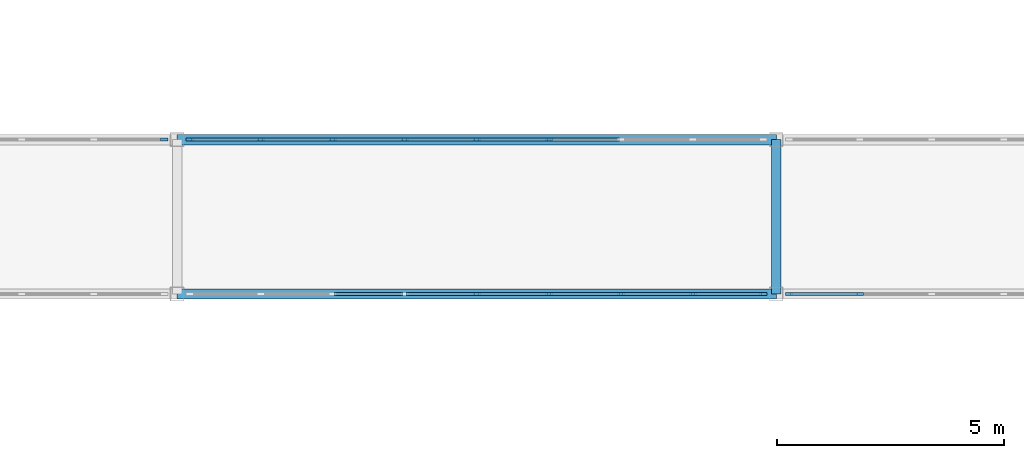
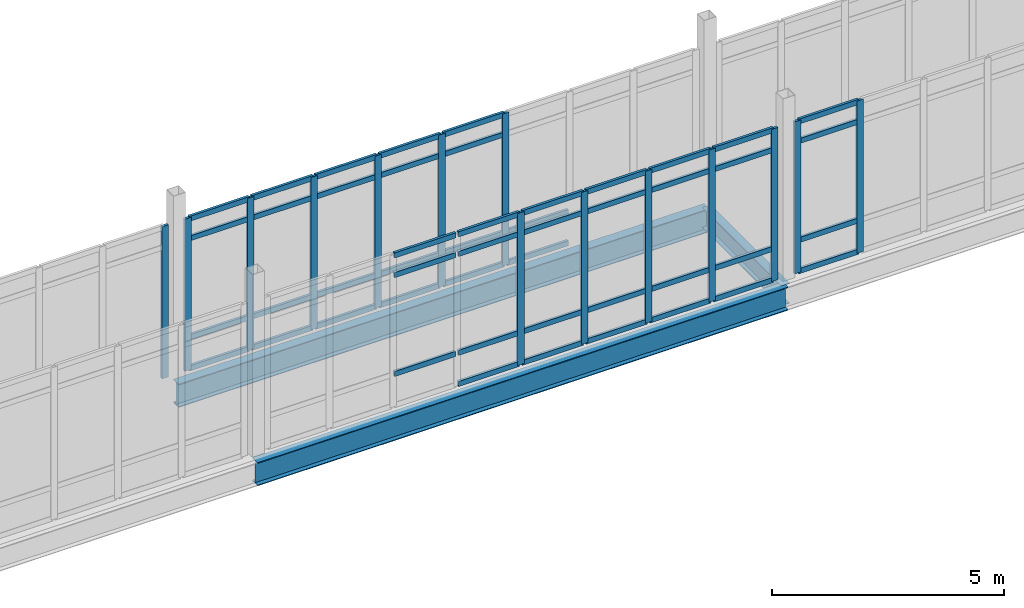
# One storey, part 40 of 125: 63 members, 3 beams, 4 elements without a shape of their own.
"""IFC4 building model written with IfcOpenShell, lengths in metres."""

from ifc_helpers import new_model, si_unit, direction, frame, origin, origin_2d, place, context, subcontext, project, spatial, rectangle, i_section, extrude, material, material_profile, profile_set, type_object, element, aggregate, save


model = new_model("IFC4")

# Units and contexts
model_context = context("Model", 3, precision=1e-05, world=origin(), true_north=direction((0.0, 1.0)))
body_context = subcontext(model_context, "Body", "Model", "MODEL_VIEW")
ifc_project = project(units=[si_unit("LENGTHUNIT", "METRE"), si_unit("AREAUNIT", "SQUARE_METRE"), si_unit("VOLUMEUNIT", "CUBIC_METRE"), si_unit("PLANEANGLEUNIT", "RADIAN"), si_unit("MASSUNIT", "GRAM", prefix="KILO")], contexts=[model_context])

# Site, building, storey
site_placement = place(None, origin())
site = spatial("IfcSite", under=ifc_project, at=site_placement, CompositionType="ELEMENT")
building_placement = place(site_placement, origin())
building = spatial("IfcBuilding", under=site, at=building_placement, Name="Dornvale Research Institute", CompositionType="ELEMENT")
storey_placement = place(building_placement, frame((0.0, 0.0, 5.39990234375)))
storey = spatial("IfcBuildingStorey", under=building, at=storey_placement, Name="L01", CompositionType="ELEMENT", Elevation=5.39990234375)

# Beams
ifc_material_1 = material(Name="Steel ASTM A992 Grade 50", Category="steel")
ifc_material_profile_1 = material_profile(ifc_material_1, i_section(OverallWidth=0.2099609375, OverallDepth=0.535888671875, WebThickness=0.010986328125, FlangeThickness=0.017333984375, at=origin_2d()), Name="W21X68")
ifc_profile_set_1 = profile_set([ifc_material_profile_1], Name="Steel ASTM A992 Grade 50")
beam_type_1 = type_object("IfcBeamType", Name="Beam_Steel_W21X68_Ext", PredefinedType="BEAM", material=ifc_profile_set_1)
beam_placement = place(storey_placement, frame((85.800048828125, 113.10009765625, -0.48779296875), z_axis=(0.0, 1.0, 0.0), x_axis=(-1.0, 0.0, 0.0)))
element("IfcBeam", 1, at=beam_placement, inside=storey, type_object=beam_type_1, Name="L01 BR-5 portal cap beam #2026", PredefinedType="BEAM", context=body_context, shape_type="SweptSolid", body=[
    extrude(i_section(OverallWidth=0.2099609375, OverallDepth=0.535888671875, WebThickness=0.010986328125, FlangeThickness=0.017333984375, at=origin_2d()), origin(), (0.0, 0.0, 1.0), 3.39990234375),
])
ifc_material_2 = material(Name="Steel ASTM A992 Grade 50", Category="steel")
ifc_material_profile_2 = material_profile(ifc_material_2, i_section(OverallWidth=0.22900390625, OverallDepth=0.612060546875, WebThickness=0.011962890625, FlangeThickness=0.01953125, at=origin_2d()), Name="W24X84")
ifc_profile_set_2 = profile_set([ifc_material_profile_2], Name="Steel ASTM A992 Grade 50")
beam_type_2 = type_object("IfcBeamType", Name="Beam_Steel_W24X84_Bridge", PredefinedType="BEAM", material=ifc_profile_set_2)
for number, where, z_axis, x_axis, name in (
    (2, (72.60009765625, 113.10009765625, -0.52587890625), (1.0, 0.0, 0.0), (0.0, 1.0, 0.0), "L01 BR-5 south girder #2026"),
    (3, (72.60009765625, 116.5, -0.52587890625), (1.0, 0.0, 0.0), (0.0, 1.0, 0.0), "L01 BR-5 north girder #2026"),
):
    element("IfcBeam", number, at=place(storey_placement, frame(where, z_axis=z_axis, x_axis=x_axis)), inside=storey, type_object=beam_type_2, Name=name, PredefinedType="BEAM", context=body_context, shape_type="SweptSolid", body=[
        extrude(i_section(OverallWidth=0.22900390625, OverallDepth=0.612060546875, WebThickness=0.011962890625, FlangeThickness=0.01953125, at=origin_2d()), origin(), (0.0, 0.0, 1.0), 13.199951171875),
    ])

# Curtain wall, member
ifc_material_3 = material(Name="Low-E Argon Double Insulating Glazing Unit", Category="glass")
curtain_wall_type = type_object("IfcCurtainWallType", Name="UnitisedCurtainWall_V2_12700x4000", PredefinedType="USERDEFINED", material=ifc_material_3)
curtain_wall_1_placement = place(storey_placement, origin())
curtain_wall_1 = element("IfcCurtainWall", 4, at=curtain_wall_1_placement, inside=storey, type_object=curtain_wall_type, Name="L01 V2 unitised curtain wall CW-42 #213", ObjectType="UNITISED CURTAIN WALL", PredefinedType="USERDEFINED")
ifc_material_4 = material(Name="Anodized Aluminum AA 6063-T6 Thermally Broken Frame", Category="aluminium")
ifc_material_profile_3 = material_profile(ifc_material_4, rectangle(XDim=0.06494140625, YDim=0.1650390625, at=origin_2d()), Name="ALU MULLION 65x165")
ifc_profile_set_3 = profile_set([ifc_material_profile_3], Name="Anodized Aluminum AA 6063-T6 Thermally Broken Frame")
member_type_1 = type_object("IfcMemberType", Name="Mullion_Atrium_65x165", PredefinedType="MULLION", material=ifc_profile_set_3)
member_1_placement = place(storey_placement, frame((72.3173828125, 116.5, 0.0), z_axis=(0.0, 0.0, 1.0), x_axis=(0.0, 1.0, 0.0)))
member_1 = element("IfcMember", 5, at=member_1_placement, type_object=member_type_1, Name="CW-42 mullion 9", PredefinedType="MULLION", context=body_context, shape_type="SweptSolid", body=[
    extrude(rectangle(XDim=0.06494140625, YDim=0.1650390625, at=origin_2d()), origin(), (0.0, 0.0, 1.0), 4.0),
])
aggregate(curtain_wall_1, [member_1])

# Curtain wall, members
curtain_wall_2_placement = place(storey_placement, origin())
curtain_wall_2 = element("IfcCurtainWall", 6, at=curtain_wall_2_placement, inside=storey, type_object=curtain_wall_type, Name="L01 V2 unitised curtain wall CW-42 #215", ObjectType="UNITISED CURTAIN WALL", PredefinedType="USERDEFINED")
member_2_placement = place(storey_placement, frame((72.882568359375, 116.5, 0.0), z_axis=(0.0, 0.0, 1.0), x_axis=(0.0, 1.0, 0.0)))
member_2 = element("IfcMember", 7, at=member_2_placement, type_object=member_type_1, Name="CW-42 mullion 1", PredefinedType="MULLION", context=body_context, shape_type="SweptSolid", body=[
    extrude(rectangle(XDim=0.06494140625, YDim=0.1650390625, at=origin_2d()), origin(), (0.0, 0.0, 1.0), 4.0),
])
member_3_placement = place(storey_placement, frame((74.4375, 116.5, 0.0), z_axis=(0.0, 0.0, 1.0), x_axis=(0.0, 1.0, 0.0)))
member_3 = element("IfcMember", 8, at=member_3_placement, type_object=member_type_1, Name="CW-42 mullion 2", PredefinedType="MULLION", context=body_context, shape_type="SweptSolid", body=[
    extrude(rectangle(XDim=0.06494140625, YDim=0.1650390625, at=origin_2d()), origin(), (0.0, 0.0, 1.0), 4.0),
])
member_4_placement = place(storey_placement, frame((76.02490234375, 116.5, 0.0), z_axis=(0.0, 0.0, 1.0), x_axis=(0.0, 1.0, 0.0)))
member_4 = element("IfcMember", 9, at=member_4_placement, type_object=member_type_1, Name="CW-42 mullion 3", PredefinedType="MULLION", context=body_context, shape_type="SweptSolid", body=[
    extrude(rectangle(XDim=0.06494140625, YDim=0.1650390625, at=origin_2d()), origin(), (0.0, 0.0, 1.0), 4.0),
])
member_5_placement = place(storey_placement, frame((77.612548828125, 116.5, 0.0), z_axis=(0.0, 0.0, 1.0), x_axis=(0.0, 1.0, 0.0)))
member_5 = element("IfcMember", 10, at=member_5_placement, type_object=member_type_1, Name="CW-42 mullion 4", PredefinedType="MULLION", context=body_context, shape_type="SweptSolid", body=[
    extrude(rectangle(XDim=0.06494140625, YDim=0.1650390625, at=origin_2d()), origin(), (0.0, 0.0, 1.0), 4.0),
])
member_6_placement = place(storey_placement, frame((79.199951171875, 116.5, 0.0), z_axis=(0.0, 0.0, 1.0), x_axis=(0.0, 1.0, 0.0)))
member_6 = element("IfcMember", 11, at=member_6_placement, type_object=member_type_1, Name="CW-42 mullion 5", PredefinedType="MULLION", context=body_context, shape_type="SweptSolid", body=[
    extrude(rectangle(XDim=0.06494140625, YDim=0.1650390625, at=origin_2d()), origin(), (0.0, 0.0, 1.0), 4.0),
])
member_7_placement = place(storey_placement, frame((80.78759765625, 116.5, 0.0), z_axis=(0.0, 0.0, 1.0), x_axis=(0.0, 1.0, 0.0)))
member_7 = element("IfcMember", 12, at=member_7_placement, type_object=member_type_1, Name="CW-42 mullion 6", PredefinedType="MULLION", context=body_context, shape_type="SweptSolid", body=[
    extrude(rectangle(XDim=0.06494140625, YDim=0.1650390625, at=origin_2d()), origin(), (0.0, 0.0, 1.0), 4.0),
])

curtain_wall_3_placement = place(storey_placement, origin())
curtain_wall_3 = element("IfcCurtainWall", 13, at=curtain_wall_3_placement, inside=storey, type_object=curtain_wall_type, Name="L01 V2 unitised curtain wall CW-42 #216", ObjectType="UNITISED CURTAIN WALL", PredefinedType="USERDEFINED")
member_8_placement = place(storey_placement, frame((85.517578125, 113.10009765625, 0.0), z_axis=(0.0, 0.0, 1.0), x_axis=(0.0, -1.0, 0.0)))
member_8 = element("IfcMember", 14, at=member_8_placement, type_object=member_type_1, Name="CW-42 mullion 1", PredefinedType="MULLION", context=body_context, shape_type="SweptSolid", body=[
    extrude(rectangle(XDim=0.06494140625, YDim=0.1650390625, at=origin_2d()), origin(), (0.0, 0.0, 1.0), 4.0),
])
member_9_placement = place(storey_placement, frame((83.96240234375, 113.10009765625, 0.0), z_axis=(0.0, 0.0, 1.0), x_axis=(0.0, -1.0, 0.0)))
member_9 = element("IfcMember", 15, at=member_9_placement, type_object=member_type_1, Name="CW-42 mullion 2", PredefinedType="MULLION", context=body_context, shape_type="SweptSolid", body=[
    extrude(rectangle(XDim=0.06494140625, YDim=0.1650390625, at=origin_2d()), origin(), (0.0, 0.0, 1.0), 4.0),
])
member_10_placement = place(storey_placement, frame((82.375, 113.10009765625, 0.0), z_axis=(0.0, 0.0, 1.0), x_axis=(0.0, -1.0, 0.0)))
member_10 = element("IfcMember", 16, at=member_10_placement, type_object=member_type_1, Name="CW-42 mullion 3", PredefinedType="MULLION", context=body_context, shape_type="SweptSolid", body=[
    extrude(rectangle(XDim=0.06494140625, YDim=0.1650390625, at=origin_2d()), origin(), (0.0, 0.0, 1.0), 4.0),
])
member_11_placement = place(storey_placement, frame((80.78759765625, 113.10009765625, 0.0), z_axis=(0.0, 0.0, 1.0), x_axis=(0.0, -1.0, 0.0)))
member_11 = element("IfcMember", 17, at=member_11_placement, type_object=member_type_1, Name="CW-42 mullion 4", PredefinedType="MULLION", context=body_context, shape_type="SweptSolid", body=[
    extrude(rectangle(XDim=0.06494140625, YDim=0.1650390625, at=origin_2d()), origin(), (0.0, 0.0, 1.0), 4.0),
])
member_12_placement = place(storey_placement, frame((79.199951171875, 113.10009765625, 0.0), z_axis=(0.0, 0.0, 1.0), x_axis=(0.0, -1.0, 0.0)))
member_12 = element("IfcMember", 18, at=member_12_placement, type_object=member_type_1, Name="CW-42 mullion 5", PredefinedType="MULLION", context=body_context, shape_type="SweptSolid", body=[
    extrude(rectangle(XDim=0.06494140625, YDim=0.1650390625, at=origin_2d()), origin(), (0.0, 0.0, 1.0), 4.0),
])

curtain_wall_4_placement = place(storey_placement, origin())
curtain_wall_4 = element("IfcCurtainWall", 19, at=curtain_wall_4_placement, inside=storey, type_object=curtain_wall_type, Name="L01 V2 unitised curtain wall CW-42 #218", ObjectType="UNITISED CURTAIN WALL", PredefinedType="USERDEFINED")
member_13_placement = place(storey_placement, frame((87.637451171875, 113.10009765625, 0.0), z_axis=(0.0, 0.0, 1.0), x_axis=(0.0, -1.0, 0.0)))
member_13 = element("IfcMember", 20, at=member_13_placement, type_object=member_type_1, Name="CW-42 mullion 8", PredefinedType="MULLION", context=body_context, shape_type="SweptSolid", body=[
    extrude(rectangle(XDim=0.06494140625, YDim=0.1650390625, at=origin_2d()), origin(), (0.0, 0.0, 1.0), 4.0),
])
member_14_placement = place(storey_placement, frame((86.08251953125, 113.10009765625, 0.0), z_axis=(0.0, 0.0, 1.0), x_axis=(0.0, -1.0, 0.0)))
member_14 = element("IfcMember", 21, at=member_14_placement, type_object=member_type_1, Name="CW-42 mullion 9", PredefinedType="MULLION", context=body_context, shape_type="SweptSolid", body=[
    extrude(rectangle(XDim=0.06494140625, YDim=0.1650390625, at=origin_2d()), origin(), (0.0, 0.0, 1.0), 4.0),
])

# Member
ifc_material_5 = material(Name="Anodized Aluminum AA 6063-T6 Thermally Broken Frame", Category="aluminium")
ifc_material_profile_4 = material_profile(ifc_material_5, rectangle(XDim=0.06494140625, YDim=0.135009765625, at=origin_2d()), Name="ALU TRANSOM 65x135")
ifc_profile_set_4 = profile_set([ifc_material_profile_4], Name="Anodized Aluminum AA 6063-T6 Thermally Broken Frame")
member_type_2 = type_object("IfcMemberType", Name="Transom_CW_65x135", PredefinedType="USERDEFINED", material=ifc_profile_set_4)
member_15_placement = place(storey_placement, frame((72.9150390625, 116.5, 0.03271484375), z_axis=(1.0, 0.0, 0.0), x_axis=(0.0, 1.0, 0.0)))
member_15 = element("IfcMember", 22, at=member_15_placement, type_object=member_type_2, Name="CW-42 transom 1.1", ObjectType="TRANSOM", PredefinedType="USERDEFINED", context=body_context, shape_type="SweptSolid", body=[
    extrude(rectangle(XDim=0.06494140625, YDim=0.135009765625, at=origin_2d()), origin(), (0.0, 0.0, 1.0), 1.489990234375),
])

member_16_placement = place(storey_placement, frame((72.9150390625, 116.5, 0.85009765625), z_axis=(1.0, 0.0, 0.0), x_axis=(0.0, 1.0, 0.0)))
member_16 = element("IfcMember", 23, at=member_16_placement, type_object=member_type_2, Name="CW-42 transom 1.2", ObjectType="TRANSOM", PredefinedType="USERDEFINED", context=body_context, shape_type="SweptSolid", body=[
    extrude(rectangle(XDim=0.06494140625, YDim=0.135009765625, at=origin_2d()), origin(), (0.0, 0.0, 1.0), 1.489990234375),
])

member_17_placement = place(storey_placement, frame((72.9150390625, 116.5, 3.4501953125), z_axis=(1.0, 0.0, 0.0), x_axis=(0.0, 1.0, 0.0)))
member_17 = element("IfcMember", 24, at=member_17_placement, type_object=member_type_2, Name="CW-42 transom 1.3", ObjectType="TRANSOM", PredefinedType="USERDEFINED", context=body_context, shape_type="SweptSolid", body=[
    extrude(rectangle(XDim=0.06494140625, YDim=0.135009765625, at=origin_2d()), origin(), (0.0, 0.0, 1.0), 1.489990234375),
])

member_18_placement = place(storey_placement, frame((72.9150390625, 116.5, 3.967529296875), z_axis=(1.0, 0.0, 0.0), x_axis=(0.0, 1.0, 0.0)))
member_18 = element("IfcMember", 25, at=member_18_placement, type_object=member_type_2, Name="CW-42 transom 1.4", ObjectType="TRANSOM", PredefinedType="USERDEFINED", context=body_context, shape_type="SweptSolid", body=[
    extrude(rectangle(XDim=0.06494140625, YDim=0.135009765625, at=origin_2d()), origin(), (0.0, 0.0, 1.0), 1.489990234375),
])

member_19_placement = place(storey_placement, frame((74.469970703125, 116.5, 0.03271484375), z_axis=(1.0, 0.0, 0.0), x_axis=(0.0, 1.0, 0.0)))
member_19 = element("IfcMember", 26, at=member_19_placement, type_object=member_type_2, Name="CW-42 transom 2.1", ObjectType="TRANSOM", PredefinedType="USERDEFINED", context=body_context, shape_type="SweptSolid", body=[
    extrude(rectangle(XDim=0.06494140625, YDim=0.135009765625, at=origin_2d()), origin(), (0.0, 0.0, 1.0), 1.5224609375),
])

member_20_placement = place(storey_placement, frame((74.469970703125, 116.5, 0.85009765625), z_axis=(1.0, 0.0, 0.0), x_axis=(0.0, 1.0, 0.0)))
member_20 = element("IfcMember", 27, at=member_20_placement, type_object=member_type_2, Name="CW-42 transom 2.2", ObjectType="TRANSOM", PredefinedType="USERDEFINED", context=body_context, shape_type="SweptSolid", body=[
    extrude(rectangle(XDim=0.06494140625, YDim=0.135009765625, at=origin_2d()), origin(), (0.0, 0.0, 1.0), 1.5224609375),
])

member_21_placement = place(storey_placement, frame((74.469970703125, 116.5, 3.4501953125), z_axis=(1.0, 0.0, 0.0), x_axis=(0.0, 1.0, 0.0)))
member_21 = element("IfcMember", 28, at=member_21_placement, type_object=member_type_2, Name="CW-42 transom 2.3", ObjectType="TRANSOM", PredefinedType="USERDEFINED", context=body_context, shape_type="SweptSolid", body=[
    extrude(rectangle(XDim=0.06494140625, YDim=0.135009765625, at=origin_2d()), origin(), (0.0, 0.0, 1.0), 1.5224609375),
])

member_22_placement = place(storey_placement, frame((74.469970703125, 116.5, 3.967529296875), z_axis=(1.0, 0.0, 0.0), x_axis=(0.0, 1.0, 0.0)))
member_22 = element("IfcMember", 29, at=member_22_placement, type_object=member_type_2, Name="CW-42 transom 2.4", ObjectType="TRANSOM", PredefinedType="USERDEFINED", context=body_context, shape_type="SweptSolid", body=[
    extrude(rectangle(XDim=0.06494140625, YDim=0.135009765625, at=origin_2d()), origin(), (0.0, 0.0, 1.0), 1.5224609375),
])

member_23_placement = place(storey_placement, frame((76.0576171875, 116.5, 0.03271484375), z_axis=(1.0, 0.0, 0.0), x_axis=(0.0, 1.0, 0.0)))
member_23 = element("IfcMember", 30, at=member_23_placement, type_object=member_type_2, Name="CW-42 transom 3.1", ObjectType="TRANSOM", PredefinedType="USERDEFINED", context=body_context, shape_type="SweptSolid", body=[
    extrude(rectangle(XDim=0.06494140625, YDim=0.135009765625, at=origin_2d()), origin(), (0.0, 0.0, 1.0), 1.5224609375),
])

member_24_placement = place(storey_placement, frame((76.0576171875, 116.5, 0.85009765625), z_axis=(1.0, 0.0, 0.0), x_axis=(0.0, 1.0, 0.0)))
member_24 = element("IfcMember", 31, at=member_24_placement, type_object=member_type_2, Name="CW-42 transom 3.2", ObjectType="TRANSOM", PredefinedType="USERDEFINED", context=body_context, shape_type="SweptSolid", body=[
    extrude(rectangle(XDim=0.06494140625, YDim=0.135009765625, at=origin_2d()), origin(), (0.0, 0.0, 1.0), 1.5224609375),
])

member_25_placement = place(storey_placement, frame((76.0576171875, 116.5, 3.4501953125), z_axis=(1.0, 0.0, 0.0), x_axis=(0.0, 1.0, 0.0)))
member_25 = element("IfcMember", 32, at=member_25_placement, type_object=member_type_2, Name="CW-42 transom 3.3", ObjectType="TRANSOM", PredefinedType="USERDEFINED", context=body_context, shape_type="SweptSolid", body=[
    extrude(rectangle(XDim=0.06494140625, YDim=0.135009765625, at=origin_2d()), origin(), (0.0, 0.0, 1.0), 1.5224609375),
])

member_26_placement = place(storey_placement, frame((76.0576171875, 116.5, 3.967529296875), z_axis=(1.0, 0.0, 0.0), x_axis=(0.0, 1.0, 0.0)))
member_26 = element("IfcMember", 33, at=member_26_placement, type_object=member_type_2, Name="CW-42 transom 3.4", ObjectType="TRANSOM", PredefinedType="USERDEFINED", context=body_context, shape_type="SweptSolid", body=[
    extrude(rectangle(XDim=0.06494140625, YDim=0.135009765625, at=origin_2d()), origin(), (0.0, 0.0, 1.0), 1.5224609375),
])

member_27_placement = place(storey_placement, frame((77.64501953125, 116.5, 0.03271484375), z_axis=(1.0, 0.0, 0.0), x_axis=(0.0, 1.0, 0.0)))
member_27 = element("IfcMember", 34, at=member_27_placement, type_object=member_type_2, Name="CW-42 transom 4.1", ObjectType="TRANSOM", PredefinedType="USERDEFINED", context=body_context, shape_type="SweptSolid", body=[
    extrude(rectangle(XDim=0.06494140625, YDim=0.135009765625, at=origin_2d()), origin(), (0.0, 0.0, 1.0), 1.5224609375),
])

member_28_placement = place(storey_placement, frame((77.64501953125, 116.5, 0.85009765625), z_axis=(1.0, 0.0, 0.0), x_axis=(0.0, 1.0, 0.0)))
member_28 = element("IfcMember", 35, at=member_28_placement, type_object=member_type_2, Name="CW-42 transom 4.2", ObjectType="TRANSOM", PredefinedType="USERDEFINED", context=body_context, shape_type="SweptSolid", body=[
    extrude(rectangle(XDim=0.06494140625, YDim=0.135009765625, at=origin_2d()), origin(), (0.0, 0.0, 1.0), 1.5224609375),
])

member_29_placement = place(storey_placement, frame((77.64501953125, 116.5, 3.4501953125), z_axis=(1.0, 0.0, 0.0), x_axis=(0.0, 1.0, 0.0)))
member_29 = element("IfcMember", 36, at=member_29_placement, type_object=member_type_2, Name="CW-42 transom 4.3", ObjectType="TRANSOM", PredefinedType="USERDEFINED", context=body_context, shape_type="SweptSolid", body=[
    extrude(rectangle(XDim=0.06494140625, YDim=0.135009765625, at=origin_2d()), origin(), (0.0, 0.0, 1.0), 1.5224609375),
])

member_30_placement = place(storey_placement, frame((77.64501953125, 116.5, 3.967529296875), z_axis=(1.0, 0.0, 0.0), x_axis=(0.0, 1.0, 0.0)))
member_30 = element("IfcMember", 37, at=member_30_placement, type_object=member_type_2, Name="CW-42 transom 4.4", ObjectType="TRANSOM", PredefinedType="USERDEFINED", context=body_context, shape_type="SweptSolid", body=[
    extrude(rectangle(XDim=0.06494140625, YDim=0.135009765625, at=origin_2d()), origin(), (0.0, 0.0, 1.0), 1.5224609375),
])

member_31_placement = place(storey_placement, frame((79.232421875, 116.5, 0.03271484375), z_axis=(1.0, 0.0, 0.0), x_axis=(0.0, 1.0, 0.0)))
member_31 = element("IfcMember", 38, at=member_31_placement, type_object=member_type_2, Name="CW-42 transom 5.1", ObjectType="TRANSOM", PredefinedType="USERDEFINED", context=body_context, shape_type="SweptSolid", body=[
    extrude(rectangle(XDim=0.06494140625, YDim=0.135009765625, at=origin_2d()), origin(), (0.0, 0.0, 1.0), 1.5224609375),
])

member_32_placement = place(storey_placement, frame((79.232421875, 116.5, 0.85009765625), z_axis=(1.0, 0.0, 0.0), x_axis=(0.0, 1.0, 0.0)))
member_32 = element("IfcMember", 39, at=member_32_placement, type_object=member_type_2, Name="CW-42 transom 5.2", ObjectType="TRANSOM", PredefinedType="USERDEFINED", context=body_context, shape_type="SweptSolid", body=[
    extrude(rectangle(XDim=0.06494140625, YDim=0.135009765625, at=origin_2d()), origin(), (0.0, 0.0, 1.0), 1.5224609375),
])

member_33_placement = place(storey_placement, frame((79.232421875, 116.5, 3.4501953125), z_axis=(1.0, 0.0, 0.0), x_axis=(0.0, 1.0, 0.0)))
member_33 = element("IfcMember", 40, at=member_33_placement, type_object=member_type_2, Name="CW-42 transom 5.3", ObjectType="TRANSOM", PredefinedType="USERDEFINED", context=body_context, shape_type="SweptSolid", body=[
    extrude(rectangle(XDim=0.06494140625, YDim=0.135009765625, at=origin_2d()), origin(), (0.0, 0.0, 1.0), 1.5224609375),
])

member_34_placement = place(storey_placement, frame((79.232421875, 116.5, 3.967529296875), z_axis=(1.0, 0.0, 0.0), x_axis=(0.0, 1.0, 0.0)))
member_34 = element("IfcMember", 41, at=member_34_placement, type_object=member_type_2, Name="CW-42 transom 5.4", ObjectType="TRANSOM", PredefinedType="USERDEFINED", context=body_context, shape_type="SweptSolid", body=[
    extrude(rectangle(XDim=0.06494140625, YDim=0.135009765625, at=origin_2d()), origin(), (0.0, 0.0, 1.0), 1.5224609375),
])

member_35_placement = place(storey_placement, frame((80.820068359375, 116.5, 0.03271484375), z_axis=(1.0, 0.0, 0.0), x_axis=(0.0, 1.0, 0.0)))
member_35 = element("IfcMember", 42, at=member_35_placement, type_object=member_type_2, Name="CW-42 transom 6.1", ObjectType="TRANSOM", PredefinedType="USERDEFINED", context=body_context, shape_type="SweptSolid", body=[
    extrude(rectangle(XDim=0.06494140625, YDim=0.135009765625, at=origin_2d()), origin(), (0.0, 0.0, 1.0), 1.5224609375),
])

member_36_placement = place(storey_placement, frame((80.820068359375, 116.5, 0.85009765625), z_axis=(1.0, 0.0, 0.0), x_axis=(0.0, 1.0, 0.0)))
member_36 = element("IfcMember", 43, at=member_36_placement, type_object=member_type_2, Name="CW-42 transom 6.2", ObjectType="TRANSOM", PredefinedType="USERDEFINED", context=body_context, shape_type="SweptSolid", body=[
    extrude(rectangle(XDim=0.06494140625, YDim=0.135009765625, at=origin_2d()), origin(), (0.0, 0.0, 1.0), 1.5224609375),
])

aggregate(curtain_wall_2, [member_2, member_3, member_4, member_5, member_6, member_7, member_15, member_16, member_17, member_18, member_19, member_20, member_21, member_22, member_23, member_24, member_25, member_26, member_27, member_28, member_29, member_30, member_31, member_32, member_33, member_34, member_35, member_36])

member_37_placement = place(storey_placement, frame((85.485107421875, 113.10009765625, 0.03271484375), z_axis=(-1.0, 0.0, 0.0), x_axis=(0.0, -1.0, 0.0)))
member_37 = element("IfcMember", 44, at=member_37_placement, type_object=member_type_2, Name="CW-42 transom 1.1", ObjectType="TRANSOM", PredefinedType="USERDEFINED", context=body_context, shape_type="SweptSolid", body=[
    extrude(rectangle(XDim=0.06494140625, YDim=0.135009765625, at=origin_2d()), origin(), (0.0, 0.0, 1.0), 1.489990234375),
])

member_38_placement = place(storey_placement, frame((85.485107421875, 113.10009765625, 0.85009765625), z_axis=(-1.0, 0.0, 0.0), x_axis=(0.0, -1.0, 0.0)))
member_38 = element("IfcMember", 45, at=member_38_placement, type_object=member_type_2, Name="CW-42 transom 1.2", ObjectType="TRANSOM", PredefinedType="USERDEFINED", context=body_context, shape_type="SweptSolid", body=[
    extrude(rectangle(XDim=0.06494140625, YDim=0.135009765625, at=origin_2d()), origin(), (0.0, 0.0, 1.0), 1.489990234375),
])

member_39_placement = place(storey_placement, frame((85.485107421875, 113.10009765625, 3.4501953125), z_axis=(-1.0, 0.0, 0.0), x_axis=(0.0, -1.0, 0.0)))
member_39 = element("IfcMember", 46, at=member_39_placement, type_object=member_type_2, Name="CW-42 transom 1.3", ObjectType="TRANSOM", PredefinedType="USERDEFINED", context=body_context, shape_type="SweptSolid", body=[
    extrude(rectangle(XDim=0.06494140625, YDim=0.135009765625, at=origin_2d()), origin(), (0.0, 0.0, 1.0), 1.489990234375),
])

member_40_placement = place(storey_placement, frame((85.485107421875, 113.10009765625, 3.967529296875), z_axis=(-1.0, 0.0, 0.0), x_axis=(0.0, -1.0, 0.0)))
member_40 = element("IfcMember", 47, at=member_40_placement, type_object=member_type_2, Name="CW-42 transom 1.4", ObjectType="TRANSOM", PredefinedType="USERDEFINED", context=body_context, shape_type="SweptSolid", body=[
    extrude(rectangle(XDim=0.06494140625, YDim=0.135009765625, at=origin_2d()), origin(), (0.0, 0.0, 1.0), 1.489990234375),
])

member_41_placement = place(storey_placement, frame((83.929931640625, 113.10009765625, 0.03271484375), z_axis=(-1.0, 0.0, 0.0), x_axis=(0.0, -1.0, 0.0)))
member_41 = element("IfcMember", 48, at=member_41_placement, type_object=member_type_2, Name="CW-42 transom 2.1", ObjectType="TRANSOM", PredefinedType="USERDEFINED", context=body_context, shape_type="SweptSolid", body=[
    extrude(rectangle(XDim=0.06494140625, YDim=0.135009765625, at=origin_2d()), origin(), (0.0, 0.0, 1.0), 1.5224609375),
])

member_42_placement = place(storey_placement, frame((83.929931640625, 113.10009765625, 0.85009765625), z_axis=(-1.0, 0.0, 0.0), x_axis=(0.0, -1.0, 0.0)))
member_42 = element("IfcMember", 49, at=member_42_placement, type_object=member_type_2, Name="CW-42 transom 2.2", ObjectType="TRANSOM", PredefinedType="USERDEFINED", context=body_context, shape_type="SweptSolid", body=[
    extrude(rectangle(XDim=0.06494140625, YDim=0.135009765625, at=origin_2d()), origin(), (0.0, 0.0, 1.0), 1.5224609375),
])

member_43_placement = place(storey_placement, frame((83.929931640625, 113.10009765625, 3.4501953125), z_axis=(-1.0, 0.0, 0.0), x_axis=(0.0, -1.0, 0.0)))
member_43 = element("IfcMember", 50, at=member_43_placement, type_object=member_type_2, Name="CW-42 transom 2.3", ObjectType="TRANSOM", PredefinedType="USERDEFINED", context=body_context, shape_type="SweptSolid", body=[
    extrude(rectangle(XDim=0.06494140625, YDim=0.135009765625, at=origin_2d()), origin(), (0.0, 0.0, 1.0), 1.5224609375),
])

member_44_placement = place(storey_placement, frame((83.929931640625, 113.10009765625, 3.967529296875), z_axis=(-1.0, 0.0, 0.0), x_axis=(0.0, -1.0, 0.0)))
member_44 = element("IfcMember", 51, at=member_44_placement, type_object=member_type_2, Name="CW-42 transom 2.4", ObjectType="TRANSOM", PredefinedType="USERDEFINED", context=body_context, shape_type="SweptSolid", body=[
    extrude(rectangle(XDim=0.06494140625, YDim=0.135009765625, at=origin_2d()), origin(), (0.0, 0.0, 1.0), 1.5224609375),
])

member_45_placement = place(storey_placement, frame((82.342529296875, 113.10009765625, 0.03271484375), z_axis=(-1.0, 0.0, 0.0), x_axis=(0.0, -1.0, 0.0)))
member_45 = element("IfcMember", 52, at=member_45_placement, type_object=member_type_2, Name="CW-42 transom 3.1", ObjectType="TRANSOM", PredefinedType="USERDEFINED", context=body_context, shape_type="SweptSolid", body=[
    extrude(rectangle(XDim=0.06494140625, YDim=0.135009765625, at=origin_2d()), origin(), (0.0, 0.0, 1.0), 1.5224609375),
])

member_46_placement = place(storey_placement, frame((82.342529296875, 113.10009765625, 0.85009765625), z_axis=(-1.0, 0.0, 0.0), x_axis=(0.0, -1.0, 0.0)))
member_46 = element("IfcMember", 53, at=member_46_placement, type_object=member_type_2, Name="CW-42 transom 3.2", ObjectType="TRANSOM", PredefinedType="USERDEFINED", context=body_context, shape_type="SweptSolid", body=[
    extrude(rectangle(XDim=0.06494140625, YDim=0.135009765625, at=origin_2d()), origin(), (0.0, 0.0, 1.0), 1.5224609375),
])

member_47_placement = place(storey_placement, frame((82.342529296875, 113.10009765625, 3.4501953125), z_axis=(-1.0, 0.0, 0.0), x_axis=(0.0, -1.0, 0.0)))
member_47 = element("IfcMember", 54, at=member_47_placement, type_object=member_type_2, Name="CW-42 transom 3.3", ObjectType="TRANSOM", PredefinedType="USERDEFINED", context=body_context, shape_type="SweptSolid", body=[
    extrude(rectangle(XDim=0.06494140625, YDim=0.135009765625, at=origin_2d()), origin(), (0.0, 0.0, 1.0), 1.5224609375),
])

member_48_placement = place(storey_placement, frame((82.342529296875, 113.10009765625, 3.967529296875), z_axis=(-1.0, 0.0, 0.0), x_axis=(0.0, -1.0, 0.0)))
member_48 = element("IfcMember", 55, at=member_48_placement, type_object=member_type_2, Name="CW-42 transom 3.4", ObjectType="TRANSOM", PredefinedType="USERDEFINED", context=body_context, shape_type="SweptSolid", body=[
    extrude(rectangle(XDim=0.06494140625, YDim=0.135009765625, at=origin_2d()), origin(), (0.0, 0.0, 1.0), 1.5224609375),
])

member_49_placement = place(storey_placement, frame((80.7548828125, 113.10009765625, 0.03271484375), z_axis=(-1.0, 0.0, 0.0), x_axis=(0.0, -1.0, 0.0)))
member_49 = element("IfcMember", 56, at=member_49_placement, type_object=member_type_2, Name="CW-42 transom 4.1", ObjectType="TRANSOM", PredefinedType="USERDEFINED", context=body_context, shape_type="SweptSolid", body=[
    extrude(rectangle(XDim=0.06494140625, YDim=0.135009765625, at=origin_2d()), origin(), (0.0, 0.0, 1.0), 1.5224609375),
])

member_50_placement = place(storey_placement, frame((80.7548828125, 113.10009765625, 0.85009765625), z_axis=(-1.0, 0.0, 0.0), x_axis=(0.0, -1.0, 0.0)))
member_50 = element("IfcMember", 57, at=member_50_placement, type_object=member_type_2, Name="CW-42 transom 4.2", ObjectType="TRANSOM", PredefinedType="USERDEFINED", context=body_context, shape_type="SweptSolid", body=[
    extrude(rectangle(XDim=0.06494140625, YDim=0.135009765625, at=origin_2d()), origin(), (0.0, 0.0, 1.0), 1.5224609375),
])

member_51_placement = place(storey_placement, frame((80.7548828125, 113.10009765625, 3.4501953125), z_axis=(-1.0, 0.0, 0.0), x_axis=(0.0, -1.0, 0.0)))
member_51 = element("IfcMember", 58, at=member_51_placement, type_object=member_type_2, Name="CW-42 transom 4.3", ObjectType="TRANSOM", PredefinedType="USERDEFINED", context=body_context, shape_type="SweptSolid", body=[
    extrude(rectangle(XDim=0.06494140625, YDim=0.135009765625, at=origin_2d()), origin(), (0.0, 0.0, 1.0), 1.5224609375),
])

member_52_placement = place(storey_placement, frame((80.7548828125, 113.10009765625, 3.967529296875), z_axis=(-1.0, 0.0, 0.0), x_axis=(0.0, -1.0, 0.0)))
member_52 = element("IfcMember", 59, at=member_52_placement, type_object=member_type_2, Name="CW-42 transom 4.4", ObjectType="TRANSOM", PredefinedType="USERDEFINED", context=body_context, shape_type="SweptSolid", body=[
    extrude(rectangle(XDim=0.06494140625, YDim=0.135009765625, at=origin_2d()), origin(), (0.0, 0.0, 1.0), 1.5224609375),
])

member_53_placement = place(storey_placement, frame((79.16748046875, 113.10009765625, 0.03271484375), z_axis=(-1.0, 0.0, 0.0), x_axis=(0.0, -1.0, 0.0)))
member_53 = element("IfcMember", 60, at=member_53_placement, type_object=member_type_2, Name="CW-42 transom 5.1", ObjectType="TRANSOM", PredefinedType="USERDEFINED", context=body_context, shape_type="SweptSolid", body=[
    extrude(rectangle(XDim=0.06494140625, YDim=0.135009765625, at=origin_2d()), origin(), (0.0, 0.0, 1.0), 1.5224609375),
])

member_54_placement = place(storey_placement, frame((79.16748046875, 113.10009765625, 0.85009765625), z_axis=(-1.0, 0.0, 0.0), x_axis=(0.0, -1.0, 0.0)))
member_54 = element("IfcMember", 61, at=member_54_placement, type_object=member_type_2, Name="CW-42 transom 5.2", ObjectType="TRANSOM", PredefinedType="USERDEFINED", context=body_context, shape_type="SweptSolid", body=[
    extrude(rectangle(XDim=0.06494140625, YDim=0.135009765625, at=origin_2d()), origin(), (0.0, 0.0, 1.0), 1.5224609375),
])

member_55_placement = place(storey_placement, frame((79.16748046875, 113.10009765625, 3.4501953125), z_axis=(-1.0, 0.0, 0.0), x_axis=(0.0, -1.0, 0.0)))
member_55 = element("IfcMember", 62, at=member_55_placement, type_object=member_type_2, Name="CW-42 transom 5.3", ObjectType="TRANSOM", PredefinedType="USERDEFINED", context=body_context, shape_type="SweptSolid", body=[
    extrude(rectangle(XDim=0.06494140625, YDim=0.135009765625, at=origin_2d()), origin(), (0.0, 0.0, 1.0), 1.5224609375),
])

member_56_placement = place(storey_placement, frame((79.16748046875, 113.10009765625, 3.967529296875), z_axis=(-1.0, 0.0, 0.0), x_axis=(0.0, -1.0, 0.0)))
member_56 = element("IfcMember", 63, at=member_56_placement, type_object=member_type_2, Name="CW-42 transom 5.4", ObjectType="TRANSOM", PredefinedType="USERDEFINED", context=body_context, shape_type="SweptSolid", body=[
    extrude(rectangle(XDim=0.06494140625, YDim=0.135009765625, at=origin_2d()), origin(), (0.0, 0.0, 1.0), 1.5224609375),
])

member_57_placement = place(storey_placement, frame((77.580078125, 113.10009765625, 0.85009765625), z_axis=(-1.0, 0.0, 0.0), x_axis=(0.0, -1.0, 0.0)))
member_57 = element("IfcMember", 64, at=member_57_placement, type_object=member_type_2, Name="CW-42 transom 6.2", ObjectType="TRANSOM", PredefinedType="USERDEFINED", context=body_context, shape_type="SweptSolid", body=[
    extrude(rectangle(XDim=0.06494140625, YDim=0.135009765625, at=origin_2d()), origin(), (0.0, 0.0, 1.0), 1.5224609375),
])

member_58_placement = place(storey_placement, frame((77.580078125, 113.10009765625, 3.4501953125), z_axis=(-1.0, 0.0, 0.0), x_axis=(0.0, -1.0, 0.0)))
member_58 = element("IfcMember", 65, at=member_58_placement, type_object=member_type_2, Name="CW-42 transom 6.3", ObjectType="TRANSOM", PredefinedType="USERDEFINED", context=body_context, shape_type="SweptSolid", body=[
    extrude(rectangle(XDim=0.06494140625, YDim=0.135009765625, at=origin_2d()), origin(), (0.0, 0.0, 1.0), 1.5224609375),
])

member_59_placement = place(storey_placement, frame((77.580078125, 113.10009765625, 3.967529296875), z_axis=(-1.0, 0.0, 0.0), x_axis=(0.0, -1.0, 0.0)))
member_59 = element("IfcMember", 66, at=member_59_placement, type_object=member_type_2, Name="CW-42 transom 6.4", ObjectType="TRANSOM", PredefinedType="USERDEFINED", context=body_context, shape_type="SweptSolid", body=[
    extrude(rectangle(XDim=0.06494140625, YDim=0.135009765625, at=origin_2d()), origin(), (0.0, 0.0, 1.0), 1.5224609375),
])

aggregate(curtain_wall_3, [member_8, member_9, member_10, member_11, member_12, member_37, member_38, member_39, member_40, member_41, member_42, member_43, member_44, member_45, member_46, member_47, member_48, member_49, member_50, member_51, member_52, member_53, member_54, member_55, member_56, member_57, member_58, member_59])

member_60_placement = place(storey_placement, frame((87.60498046875, 113.10009765625, 0.03271484375), z_axis=(-1.0, 0.0, 0.0), x_axis=(0.0, -1.0, 0.0)))
member_60 = element("IfcMember", 67, at=member_60_placement, type_object=member_type_2, Name="CW-42 transom 8.1", ObjectType="TRANSOM", PredefinedType="USERDEFINED", context=body_context, shape_type="SweptSolid", body=[
    extrude(rectangle(XDim=0.06494140625, YDim=0.135009765625, at=origin_2d()), origin(), (0.0, 0.0, 1.0), 1.489990234375),
])

member_61_placement = place(storey_placement, frame((87.60498046875, 113.10009765625, 0.85009765625), z_axis=(-1.0, 0.0, 0.0), x_axis=(0.0, -1.0, 0.0)))
member_61 = element("IfcMember", 68, at=member_61_placement, type_object=member_type_2, Name="CW-42 transom 8.2", ObjectType="TRANSOM", PredefinedType="USERDEFINED", context=body_context, shape_type="SweptSolid", body=[
    extrude(rectangle(XDim=0.06494140625, YDim=0.135009765625, at=origin_2d()), origin(), (0.0, 0.0, 1.0), 1.489990234375),
])

member_62_placement = place(storey_placement, frame((87.60498046875, 113.10009765625, 3.4501953125), z_axis=(-1.0, 0.0, 0.0), x_axis=(0.0, -1.0, 0.0)))
member_62 = element("IfcMember", 69, at=member_62_placement, type_object=member_type_2, Name="CW-42 transom 8.3", ObjectType="TRANSOM", PredefinedType="USERDEFINED", context=body_context, shape_type="SweptSolid", body=[
    extrude(rectangle(XDim=0.06494140625, YDim=0.135009765625, at=origin_2d()), origin(), (0.0, 0.0, 1.0), 1.489990234375),
])

member_63_placement = place(storey_placement, frame((87.60498046875, 113.10009765625, 3.967529296875), z_axis=(-1.0, 0.0, 0.0), x_axis=(0.0, -1.0, 0.0)))
member_63 = element("IfcMember", 70, at=member_63_placement, type_object=member_type_2, Name="CW-42 transom 8.4", ObjectType="TRANSOM", PredefinedType="USERDEFINED", context=body_context, shape_type="SweptSolid", body=[
    extrude(rectangle(XDim=0.06494140625, YDim=0.135009765625, at=origin_2d()), origin(), (0.0, 0.0, 1.0), 1.489990234375),
])

aggregate(curtain_wall_4, [member_13, member_14, member_60, member_61, member_62, member_63])

save(model, "model.ifc")
